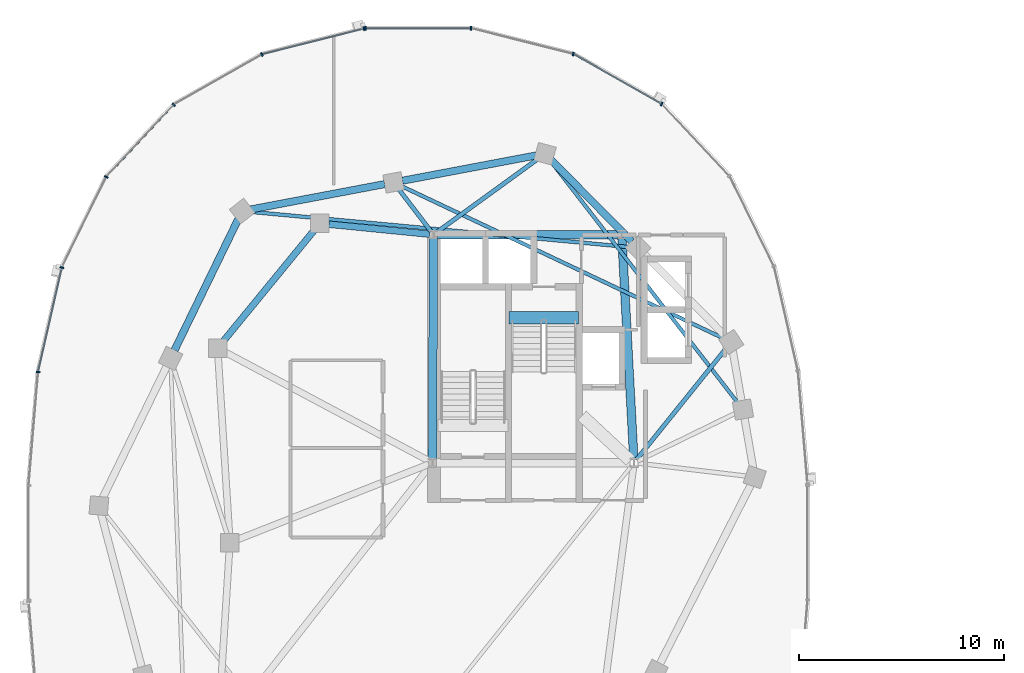
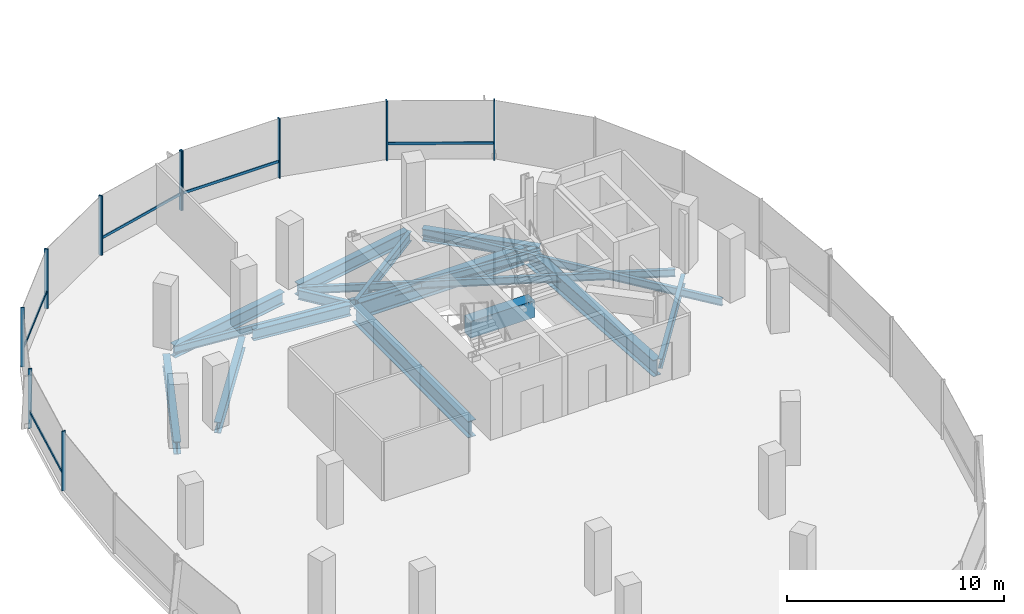
# One storey, part 6 of 24: 16 beams, 15 members, 2 elements without a shape of their own.
"""IFC4 building model written with IfcOpenShell, lengths in metres."""

from ifc_helpers import new_model, si_unit, direction, frame, origin, origin_2d, place, context, subcontext, project, spatial, rectangle, i_section, extrude, material, material_profile, profile_set, type_object, element, aggregate, save


model = new_model("IFC4")

# Units and contexts
model_context = context("Model", 3, precision=1e-05, world=origin(), true_north=direction((0.0, 1.0)))
body_context = subcontext(model_context, "Body", "Model", "MODEL_VIEW")
ifc_project = project(units=[si_unit("LENGTHUNIT", "METRE"), si_unit("AREAUNIT", "SQUARE_METRE"), si_unit("VOLUMEUNIT", "CUBIC_METRE"), si_unit("PLANEANGLEUNIT", "RADIAN"), si_unit("MASSUNIT", "GRAM", prefix="KILO"), si_unit("THERMODYNAMICTEMPERATUREUNIT", "KELVIN"), si_unit("POWERUNIT", "WATT")], contexts=[model_context])

# Site, building, storey
site_placement = place(None, origin())
site = spatial("IfcSite", under=ifc_project, at=site_placement, CompositionType="ELEMENT")
building_placement = place(site_placement, origin())
building = spatial("IfcBuilding", under=site, at=building_placement, Name="Cundina Bronze Exchange", CompositionType="ELEMENT")
storey_placement = place(building_placement, frame((0.0, 0.0, 227.800048828125)))
storey = spatial("IfcBuildingStorey", under=building, at=storey_placement, Name="L60", CompositionType="ELEMENT", Elevation=227.800048828125)

# Beams
ifc_material_1 = material(Name="Concrete C60/75", Category="concrete")
ifc_material_profile_1 = material_profile(ifc_material_1, rectangle(XDim=0.60009765625, YDim=0.949951171875, at=origin_2d()), Name="RC600X950", Category="concrete")
ifc_profile_set_1 = profile_set([ifc_material_profile_1], Name="Concrete C60/75")
beam_type_1 = type_object("IfcBeamType", Name="BM-COUP-RC950", PredefinedType="LINTEL", material=ifc_profile_set_1)
beam_1_placement = place(storey_placement, frame((-27.56005859375, 10.97998046875, -0.47509765625), z_axis=(1.0, 0.0, 0.0), x_axis=(0.0, 1.0, 0.0)))
element("IfcBeam", 1, at=beam_1_placement, inside=storey, type_object=beam_type_1, Name="L60 Stair W2 Landing Header Beam", PredefinedType="LINTEL", context=body_context, shape_type="SweptSolid", body=[
    extrude(rectangle(XDim=0.60009765625, YDim=0.949951171875, at=origin_2d()), origin(), (0.0, 0.0, 1.0), 3.400146484375),
])
ifc_material_2 = material(Name="Steel ASTM A992 Grade 50", Category="steel")
ifc_material_profile_2 = material_profile(ifc_material_2, i_section(OverallWidth=0.2119140625, OverallDepth=0.5439453125, WebThickness=0.01318359375, FlangeThickness=0.021240234375, FilletRadius=0.013916015625, at=origin_2d()), Name="W21X83", Category="steel")
ifc_profile_set_2 = profile_set([ifc_material_profile_2], Name="Steel ASTM A992 Grade 50")
beam_type_2 = type_object("IfcBeamType", Name="BM-FLR-W21A", PredefinedType="BEAM", material=ifc_profile_set_2)
beam_2_placement = place(storey_placement, frame((-21.3271484375, 4.052734375, -0.531982421875), z_axis=(0.627128630072, 0.778915708755, 0.0), x_axis=(-0.778915708755, 0.627128630072, 0.0)))
element("IfcBeam", 2, at=beam_2_placement, inside=storey, type_object=beam_type_2, Name="L60 Leg W Radial Floor Beam 02", PredefinedType="BEAM", context=body_context, shape_type="SweptSolid", body=[
    extrude(i_section(OverallWidth=0.2119140625, OverallDepth=0.5439453125, WebThickness=0.01318359375, FlangeThickness=0.021240234375, FilletRadius=0.013916015625, at=origin_2d()), origin(), (0.0, 0.0, 1.0), 6.9404296875),
])
beam_3_placement = place(storey_placement, frame((-31.09130859375, 15.1650390625, -0.531982421875), z_axis=(0.809709858543, 0.586830422677, 0.0), x_axis=(-0.586830422677, 0.809709858543, 0.0)))
element("IfcBeam", 3, at=beam_3_placement, inside=storey, type_object=beam_type_2, Name="L60 Leg W Radial Floor Beam 04", PredefinedType="BEAM", context=body_context, shape_type="SweptSolid", body=[
    extrude(i_section(OverallWidth=0.2119140625, OverallDepth=0.5439453125, WebThickness=0.01318359375, FlangeThickness=0.021240234375, FilletRadius=0.013916015625, at=origin_2d()), origin(), (0.0, 0.0, 1.0), 6.096923828125),
])
beam_4_placement = place(storey_placement, frame((-31.369140625, 15.205810546875, -0.531982421875), z_axis=(-0.60740437517, 0.794392802727, 0.0), x_axis=(-0.794392802727, -0.60740437517, 0.0)))
element("IfcBeam", 4, at=beam_4_placement, inside=storey, type_object=beam_type_2, Name="L60 Leg W Radial Floor Beam 05", PredefinedType="BEAM", context=body_context, shape_type="SweptSolid", body=[
    extrude(i_section(OverallWidth=0.2119140625, OverallDepth=0.5439453125, WebThickness=0.01318359375, FlangeThickness=0.021240234375, FilletRadius=0.013916015625, at=origin_2d()), origin(), (0.0, 0.0, 1.0), 2.575927734375),
])
ifc_material_profile_3 = material_profile(ifc_material_2, i_section(OverallWidth=0.178955078125, OverallDepth=0.409912109375, WebThickness=0.0087890625, FlangeThickness=0.014404296875, FilletRadius=0.010986328125, at=origin_2d()), Name="W16X45", Category="steel")
ifc_profile_set_3 = profile_set([ifc_material_profile_3], Name="Steel ASTM A992 Grade 50")
beam_type_3 = type_object("IfcBeamType", Name="BM-JST-W16", PredefinedType="JOIST", material=ifc_profile_set_3)
beam_5_placement = place(storey_placement, frame((-16.39306640625, 6.846435546875, -0.465087890625), z_axis=(-0.612085793291, 0.790791364174, 0.0), x_axis=(-0.790791364174, -0.612085793291, 0.0)))
element("IfcBeam", 5, at=beam_5_placement, inside=storey, type_object=beam_type_3, Name="L60 Leg W Lobe Floor Joist 01-04", PredefinedType="JOIST", context=body_context, shape_type="SweptSolid", body=[
    extrude(i_section(OverallWidth=0.178955078125, OverallDepth=0.409912109375, WebThickness=0.0087890625, FlangeThickness=0.014404296875, FilletRadius=0.010986328125, at=origin_2d()), origin(), (0.0, 0.0, 1.0), 14.9306640625),
])
beam_6_placement = place(storey_placement, frame((-17.095947265625, 9.9873046875, -0.465087890625), z_axis=(-0.904073747204, 0.427376484632, 0.0), x_axis=(-0.427376484632, -0.904073747204, 0.0)))
element("IfcBeam", 6, at=beam_6_placement, inside=storey, type_object=beam_type_3, Name="L60 Leg W Lobe Floor Joist 02-05", PredefinedType="JOIST", context=body_context, shape_type="SweptSolid", body=[
    extrude(i_section(OverallWidth=0.178955078125, OverallDepth=0.409912109375, WebThickness=0.0087890625, FlangeThickness=0.014404296875, FilletRadius=0.010986328125, at=origin_2d()), origin(), (0.0, 0.0, 1.0), 17.374755859375),
])
beam_7_placement = place(storey_placement, frame((-21.68603515625, 14.440673828125, -0.465087890625), z_axis=(-0.9957017803, 0.092617302415, 0.0), x_axis=(-0.092617302415, -0.9957017803, 0.0)))
element("IfcBeam", 7, at=beam_7_placement, inside=storey, type_object=beam_type_3, Name="L60 Leg W Lobe Floor Joist 03-06", PredefinedType="JOIST", context=body_context, shape_type="SweptSolid", body=[
    extrude(i_section(OverallWidth=0.178955078125, OverallDepth=0.409912109375, WebThickness=0.0087890625, FlangeThickness=0.014404296875, FilletRadius=0.010986328125, at=origin_2d()), origin(), (0.0, 0.0, 1.0), 18.5576171875),
])
ifc_material_profile_4 = material_profile(ifc_material_2, i_section(OverallWidth=0.324951171875, OverallDepth=0.615966796875, WebThickness=0.013916015625, FlangeThickness=0.021484375, FilletRadius=0.01611328125, at=origin_2d()), Name="W24X117", Category="steel")
ifc_profile_set_4 = profile_set([ifc_material_profile_4], Name="Steel ASTM A992 Grade 50")
beam_type_4 = type_object("IfcBeamType", Name="BM-RING-W24", PredefinedType="USERDEFINED", material=ifc_profile_set_4)
beam_8_placement = place(storey_placement, frame((-31.445068359375, 15.0693359375, -0.568115234375), z_axis=(-0.995123854478, 0.09863323096, 0.0), x_axis=(-0.09863323096, -0.995123854478, 0.0)))
element("IfcBeam", 8, at=beam_8_placement, inside=storey, type_object=beam_type_4, Name="L60 W Inner Structural Ring Girder 01", ObjectType="GIRDER", PredefinedType="USERDEFINED", context=body_context, shape_type="SweptSolid", body=[
    extrude(i_section(OverallWidth=0.324951171875, OverallDepth=0.615966796875, WebThickness=0.013916015625, FlangeThickness=0.021484375, FilletRadius=0.01611328125, at=origin_2d()), origin(), (0.0, 0.0, 1.0), 4.943115234375),
])
beam_9_placement = place(storey_placement, frame((-37.07763671875, 15.26123046875, -0.568115234375), z_axis=(-0.633912590175, -0.77340469873, 0.0), x_axis=(0.77340469873, -0.633912590175, 0.0)))
element("IfcBeam", 9, at=beam_9_placement, inside=storey, type_object=beam_type_4, Name="L60 W Inner Structural Ring Girder 02", ObjectType="GIRDER", PredefinedType="USERDEFINED", context=body_context, shape_type="SweptSolid", body=[
    extrude(i_section(OverallWidth=0.324951171875, OverallDepth=0.615966796875, WebThickness=0.013916015625, FlangeThickness=0.021484375, FilletRadius=0.01611328125, at=origin_2d()), origin(), (0.0, 0.0, 1.0), 7.01123046875),
])
ifc_material_profile_5 = material_profile(ifc_material_2, i_section(OverallWidth=0.35498046875, OverallDepth=0.695068359375, WebThickness=0.015380859375, FlangeThickness=0.02490234375, FilletRadius=0.01806640625, at=origin_2d()), Name="W27X146", Category="steel")
ifc_profile_set_5 = profile_set([ifc_material_profile_5], Name="Steel ASTM A992 Grade 50")
beam_type_5 = type_object("IfcBeamType", Name="BM-RING-W27", PredefinedType="USERDEFINED", material=ifc_profile_set_5)
beam_10_placement = place(storey_placement, frame((-21.55810546875, 14.71142578125, -0.607666015625), z_axis=(-0.703211928763, 0.710980297368, 0.0), x_axis=(-0.710980297368, -0.703211928763, 0.0)))
element("IfcBeam", 10, at=beam_10_placement, inside=storey, type_object=beam_type_5, Name="L60 W Perimeter Ring Girder 03", ObjectType="GIRDER", PredefinedType="USERDEFINED", context=body_context, shape_type="SweptSolid", body=[
    extrude(i_section(OverallWidth=0.35498046875, OverallDepth=0.695068359375, WebThickness=0.015380859375, FlangeThickness=0.02490234375, FilletRadius=0.01806640625, at=origin_2d()), origin(), (0.0, 0.0, 1.0), 5.593994140625),
])
beam_11_placement = place(storey_placement, frame((-26.23046875, 18.918701171875, -0.607666015625), z_axis=(-0.982565174657, -0.185918470175, 0.0), x_axis=(0.185918470175, -0.982565174657, 0.0)))
element("IfcBeam", 11, at=beam_11_placement, inside=storey, type_object=beam_type_5, Name="L60 W Perimeter Ring Girder 04", ObjectType="GIRDER", PredefinedType="USERDEFINED", context=body_context, shape_type="SweptSolid", body=[
    extrude(i_section(OverallWidth=0.35498046875, OverallDepth=0.695068359375, WebThickness=0.015380859375, FlangeThickness=0.02490234375, FilletRadius=0.01806640625, at=origin_2d()), origin(), (0.0, 0.0, 1.0), 6.655029296875),
])
beam_12_placement = place(storey_placement, frame((-33.63037109375, 17.5185546875, -0.607666015625), z_axis=(-0.982573143022, -0.185876353022, 0.0), x_axis=(0.185876353022, -0.982573143022, 0.0)))
element("IfcBeam", 12, at=beam_12_placement, inside=storey, type_object=beam_type_5, Name="L60 W Perimeter Ring Girder 05", ObjectType="GIRDER", PredefinedType="USERDEFINED", context=body_context, shape_type="SweptSolid", body=[
    extrude(i_section(OverallWidth=0.35498046875, OverallDepth=0.695068359375, WebThickness=0.015380859375, FlangeThickness=0.02490234375, FilletRadius=0.01806640625, at=origin_2d()), origin(), (0.0, 0.0, 1.0), 6.6552734375),
])
beam_13_placement = place(storey_placement, frame((-40.79150390625, 15.80615234375, -0.607666015625), z_axis=(-0.437173087764, -0.89937739094, 0.0), x_axis=(0.89937739094, -0.437173087764, 0.0)))
element("IfcBeam", 13, at=beam_13_placement, inside=storey, type_object=beam_type_5, Name="L60 W Perimeter Ring Girder 06", ObjectType="GIRDER", PredefinedType="USERDEFINED", context=body_context, shape_type="SweptSolid", body=[
    extrude(i_section(OverallWidth=0.35498046875, OverallDepth=0.695068359375, WebThickness=0.015380859375, FlangeThickness=0.02490234375, FilletRadius=0.01806640625, at=origin_2d()), origin(), (0.0, 0.0, 1.0), 7.1298828125),
])
ifc_material_profile_6 = material_profile(ifc_material_2, i_section(OverallWidth=0.41796875, OverallDepth=0.927001953125, WebThickness=0.019287109375, FlangeThickness=0.031982421875, FilletRadius=0.02392578125, at=origin_2d()), Name="W36X231", Category="steel")
ifc_profile_set_6 = profile_set([ifc_material_profile_6], Name="Steel ASTM A992 Grade 50")
beam_type_6 = type_object("IfcBeamType", Name="BM-WRN-W36B", PredefinedType="USERDEFINED", material=ifc_profile_set_6)
beam_14_placement = place(storey_placement, frame((-21.46044921875, 4.095703125, -0.7236328125), z_axis=(-0.053749317644, 0.998554460634, 0.0), x_axis=(-0.998554460634, -0.053749317644, 0.0)))
element("IfcBeam", 14, at=beam_14_placement, inside=storey, type_object=beam_type_6, Name="L60 W Core Perimeter Tie Girder 2", ObjectType="GIRDER", PredefinedType="USERDEFINED", context=body_context, shape_type="SweptSolid", body=[
    extrude(i_section(OverallWidth=0.41796875, OverallDepth=0.927001953125, WebThickness=0.019287109375, FlangeThickness=0.031982421875, FilletRadius=0.02392578125, at=origin_2d()), origin(), (0.0, 0.0, 1.0), 10.774169921875),
])
beam_15_placement = place(storey_placement, frame((-22.24609375, 15.050048828125, -0.7236328125), z_axis=(-1.0, 0.0, 0.0), x_axis=(0.0, -1.0, 0.0)))
element("IfcBeam", 15, at=beam_15_placement, inside=storey, type_object=beam_type_6, Name="L60 W Core Perimeter Tie Girder 3", ObjectType="GIRDER", PredefinedType="USERDEFINED", context=body_context, shape_type="SweptSolid", body=[
    extrude(i_section(OverallWidth=0.41796875, OverallDepth=0.927001953125, WebThickness=0.019287109375, FlangeThickness=0.031982421875, FilletRadius=0.02392578125, at=origin_2d()), origin(), (0.0, 0.0, 1.0), 8.807861328125),
])
beam_16_placement = place(storey_placement, frame((-31.2509765625, 14.85400390625, -0.7236328125), z_axis=(-0.004470623654, -0.999990006712, 0.0), x_axis=(0.999990006712, -0.004470623654, 0.0)))
element("IfcBeam", 16, at=beam_16_placement, inside=storey, type_object=beam_type_6, Name="L60 W Core Perimeter Tie Girder 4", ObjectType="GIRDER", PredefinedType="USERDEFINED", context=body_context, shape_type="SweptSolid", body=[
    extrude(i_section(OverallWidth=0.41796875, OverallDepth=0.927001953125, WebThickness=0.019287109375, FlangeThickness=0.031982421875, FilletRadius=0.02392578125, at=origin_2d()), origin(), (0.0, 0.0, 1.0), 10.758056640625),
])

# Curtain wall, members
ifc_material_3 = material(Name="Anodised Bronze Aluminium 6063-T6", Category="aluminium")
curtain_wall_type = type_object("IfcCurtainWallType", Name="CWS-UPP-OFF", PredefinedType="NOTDEFINED", material=ifc_material_3)
curtain_wall_1_placement = place(storey_placement, origin())
curtain_wall_1 = element("IfcCurtainWall", 17, at=curtain_wall_1_placement, inside=storey, type_object=curtain_wall_type, Name="L60 CW-05 Curtain Wall Run CWR-L60-W1", PredefinedType="NOTDEFINED")
ifc_material_profile_7 = material_profile(ifc_material_3, rectangle(XDim=0.070068359375, YDim=0.18994140625, at=origin_2d()), Name="AL70X190", Category="aluminium")
ifc_profile_set_7 = profile_set([ifc_material_profile_7], Name="Anodised Bronze Aluminium 6063-T6")
member_type_1 = type_object("IfcMemberType", Name="CWM-MUL-190", PredefinedType="MULLION", material=ifc_profile_set_7)
member_1_placement = place(storey_placement, frame((-20.100341796875, 21.43115234375, 0.0), z_axis=(0.0, 0.0, 1.0), x_axis=(-0.86958112538, 0.493790103568, 0.0)))
member_1 = element("IfcMember", 18, at=member_1_placement, type_object=member_type_1, Name="CW-05 Mullion 5", PredefinedType="MULLION", context=body_context, shape_type="SweptSolid", body=[
    extrude(rectangle(XDim=0.070068359375, YDim=0.18994140625, at=origin_2d()), origin(), (0.0, 0.0, 1.0), 3.33984375),
])
member_2_placement = place(storey_placement, frame((-24.422607421875, 23.87548828125, 0.0), z_axis=(0.0, 0.0, 1.0), x_axis=(-0.969744325821, 0.244122802168, 0.0)))
member_2 = element("IfcMember", 19, at=member_2_placement, type_object=member_type_1, Name="CW-05 Mullion 6", PredefinedType="MULLION", context=body_context, shape_type="SweptSolid", body=[
    extrude(rectangle(XDim=0.070068359375, YDim=0.18994140625, at=origin_2d()), origin(), (0.0, 0.0, 1.0), 3.33984375),
])
member_3_placement = place(storey_placement, frame((-29.419921875, 25.125, 0.0), z_axis=(0.0, 0.0, 1.0), x_axis=(-1.0, 0.0, 0.0)))
member_3 = element("IfcMember", 20, at=member_3_placement, type_object=member_type_1, Name="CW-05 Mullion 7", PredefinedType="MULLION", context=body_context, shape_type="SweptSolid", body=[
    extrude(rectangle(XDim=0.070068359375, YDim=0.18994140625, at=origin_2d()), origin(), (0.0, 0.0, 1.0), 3.33984375),
])
member_4_placement = place(storey_placement, frame((-34.580078125, 25.125, 0.0), z_axis=(0.0, 0.0, 1.0), x_axis=(-1.0, 0.0, 0.0)))
member_4 = element("IfcMember", 21, at=member_4_placement, type_object=member_type_1, Name="CW-05 End Mullion", PredefinedType="MULLION", context=body_context, shape_type="SweptSolid", body=[
    extrude(rectangle(XDim=0.070068359375, YDim=0.18994140625, at=origin_2d()), origin(), (0.0, 0.0, 1.0), 3.33984375),
])

curtain_wall_2_placement = place(storey_placement, origin())
curtain_wall_2 = element("IfcCurtainWall", 22, at=curtain_wall_2_placement, inside=storey, type_object=curtain_wall_type, Name="L60 CW-05 Curtain Wall Run CWR-L60-W2", PredefinedType="NOTDEFINED")
member_5_placement = place(storey_placement, frame((-34.6484375, 25.116455078125, 0.0), z_axis=(0.0, 0.0, 1.0), x_axis=(-0.969744325821, -0.244122802168, 0.0)))
member_5 = element("IfcMember", 23, at=member_5_placement, type_object=member_type_1, Name="CW-05 Mullion 1", PredefinedType="MULLION", context=body_context, shape_type="SweptSolid", body=[
    extrude(rectangle(XDim=0.070068359375, YDim=0.18994140625, at=origin_2d()), origin(), (0.0, 0.0, 1.0), 3.33984375),
])
member_6_placement = place(storey_placement, frame((-39.638916015625, 23.850830078125, 0.0), z_axis=(0.0, 0.0, 1.0), x_axis=(-0.86958112538, -0.493790103568, 0.0)))
member_6 = element("IfcMember", 24, at=member_6_placement, type_object=member_type_1, Name="CW-05 Mullion 2", PredefinedType="MULLION", context=body_context, shape_type="SweptSolid", body=[
    extrude(rectangle(XDim=0.070068359375, YDim=0.18994140625, at=origin_2d()), origin(), (0.0, 0.0, 1.0), 3.33984375),
])
member_7_placement = place(storey_placement, frame((-43.94873046875, 21.392578125, 0.0), z_axis=(0.0, 0.0, 1.0), x_axis=(-0.684292606175, -0.729207535023, 0.0)))
member_7 = element("IfcMember", 25, at=member_7_placement, type_object=member_type_1, Name="CW-05 Mullion 3", PredefinedType="MULLION", context=body_context, shape_type="SweptSolid", body=[
    extrude(rectangle(XDim=0.070068359375, YDim=0.18994140625, at=origin_2d()), origin(), (0.0, 0.0, 1.0), 3.33984375),
])
member_8_placement = place(storey_placement, frame((-47.245361328125, 17.866455078125, 0.0), z_axis=(0.0, 0.0, 1.0), x_axis=(-0.440566004113, -0.897720221461, 0.0)))
member_8 = element("IfcMember", 26, at=member_8_placement, type_object=member_type_1, Name="CW-05 Mullion 4", PredefinedType="MULLION", context=body_context, shape_type="SweptSolid", body=[
    extrude(rectangle(XDim=0.070068359375, YDim=0.18994140625, at=origin_2d()), origin(), (0.0, 0.0, 1.0), 3.33984375),
])
member_9_placement = place(storey_placement, frame((-49.40771484375, 13.440673828125, 0.0), z_axis=(0.0, 0.0, 1.0), x_axis=(-0.223250116011, -0.974761194191, 0.0)))
member_9 = element("IfcMember", 27, at=member_9_placement, type_object=member_type_1, Name="CW-05 Mullion 5", PredefinedType="MULLION", context=body_context, shape_type="SweptSolid", body=[
    extrude(rectangle(XDim=0.070068359375, YDim=0.18994140625, at=origin_2d()), origin(), (0.0, 0.0, 1.0), 3.33984375),
])
member_10_placement = place(storey_placement, frame((-50.572509765625, 8.33056640625, 0.0), z_axis=(0.0, 0.0, 1.0), x_axis=(-0.083677843332, -0.99649285925, 0.0)))
member_10 = element("IfcMember", 28, at=member_10_placement, type_object=member_type_1, Name="CW-05 Mullion 6", PredefinedType="MULLION", context=body_context, shape_type="SweptSolid", body=[
    extrude(rectangle(XDim=0.070068359375, YDim=0.18994140625, at=origin_2d()), origin(), (0.0, 0.0, 1.0), 3.33984375),
])

# Member
ifc_material_profile_8 = material_profile(ifc_material_3, rectangle(XDim=0.06494140625, YDim=0.14990234375, at=origin_2d()), Name="AL65X150", Category="aluminium")
ifc_profile_set_8 = profile_set([ifc_material_profile_8], Name="Anodised Bronze Aluminium 6063-T6")
member_type_2 = type_object("IfcMemberType", Name="CWM-TRN-150", PredefinedType="USERDEFINED", material=ifc_profile_set_8)
member_11_placement = place(storey_placement, frame((-20.1337890625, 21.4501953125, 0.919921875), z_axis=(-0.869573748083, 0.493803095013, 0.0), x_axis=(-0.493803095013, -0.869573748083, 0.0)))
member_11 = element("IfcMember", 29, at=member_11_placement, type_object=member_type_2, Name="CW-05 Spandrel Transom 5", ObjectType="TRANSOM", PredefinedType="USERDEFINED", context=body_context, shape_type="SweptSolid", body=[
    extrude(rectangle(XDim=0.06494140625, YDim=0.14990234375, at=origin_2d()), origin(), (0.0, 0.0, 1.0), 4.900146484375),
])

member_12_placement = place(storey_placement, frame((-29.45849609375, 25.125, 0.919921875), z_axis=(-1.0, 0.0, 0.0), x_axis=(0.0, -1.0, 0.0)))
member_12 = element("IfcMember", 30, at=member_12_placement, type_object=member_type_2, Name="CW-05 Spandrel Transom 7", ObjectType="TRANSOM", PredefinedType="USERDEFINED", context=body_context, shape_type="SweptSolid", body=[
    extrude(rectangle(XDim=0.06494140625, YDim=0.14990234375, at=origin_2d()), origin(), (0.0, 0.0, 1.0), 5.0830078125),
])

aggregate(curtain_wall_1, [member_1, member_11, member_2, member_3, member_4, member_12])

member_13_placement = place(storey_placement, frame((-34.685791015625, 25.107177734375, 0.919921875), z_axis=(-0.969725738797, -0.244196624699, 0.0), x_axis=(0.244196624699, -0.969725738797, 0.0)))
member_13 = element("IfcMember", 31, at=member_13_placement, type_object=member_type_2, Name="CW-05 Spandrel Transom 1", ObjectType="TRANSOM", PredefinedType="USERDEFINED", context=body_context, shape_type="SweptSolid", body=[
    extrude(rectangle(XDim=0.06494140625, YDim=0.14990234375, at=origin_2d()), origin(), (0.0, 0.0, 1.0), 5.082763671875),
])

member_14_placement = place(storey_placement, frame((-43.97509765625, 21.364501953125, 0.919921875), z_axis=(-0.684336416554, -0.729166420633, 0.0), x_axis=(0.729166420633, -0.684336416554, 0.0)))
member_14 = element("IfcMember", 32, at=member_14_placement, type_object=member_type_2, Name="CW-05 Spandrel Transom 3", ObjectType="TRANSOM", PredefinedType="USERDEFINED", context=body_context, shape_type="SweptSolid", body=[
    extrude(rectangle(XDim=0.06494140625, YDim=0.14990234375, at=origin_2d()), origin(), (0.0, 0.0, 1.0), 4.76513671875),
])

member_15_placement = place(storey_placement, frame((-49.41650390625, 13.403076171875, 0.919921875), z_axis=(-0.22328343579, -0.974753562344, 0.0), x_axis=(0.974753562344, -0.22328343579, 0.0)))
member_15 = element("IfcMember", 33, at=member_15_placement, type_object=member_type_2, Name="CW-05 Spandrel Transom 5", ObjectType="TRANSOM", PredefinedType="USERDEFINED", context=body_context, shape_type="SweptSolid", body=[
    extrude(rectangle(XDim=0.06494140625, YDim=0.14990234375, at=origin_2d()), origin(), (0.0, 0.0, 1.0), 5.159912109375),
])

aggregate(curtain_wall_2, [member_5, member_13, member_6, member_7, member_14, member_8, member_9, member_15, member_10])

save(model, "model.ifc")
